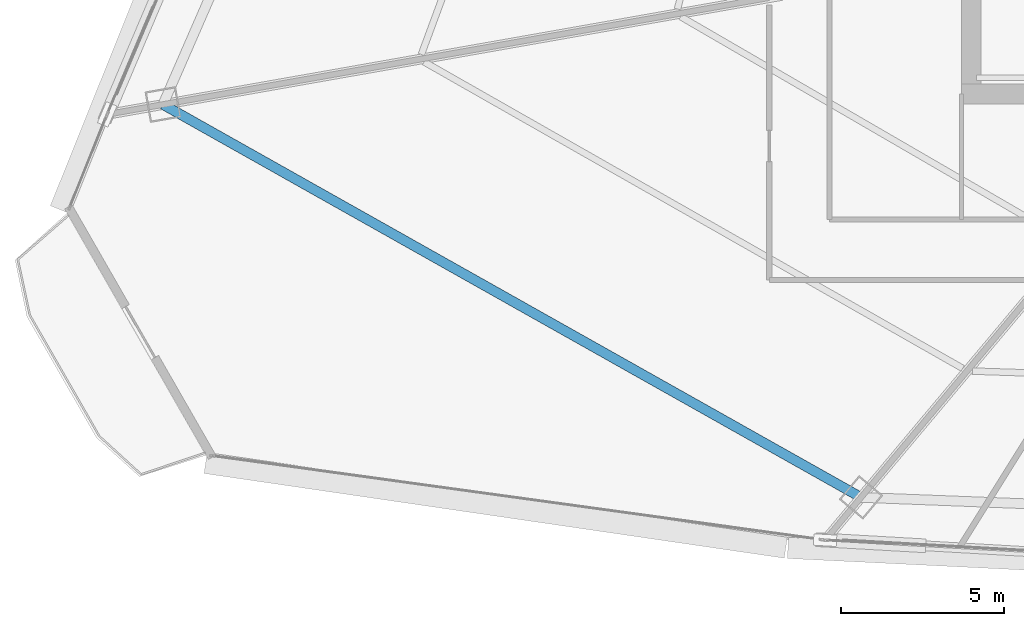
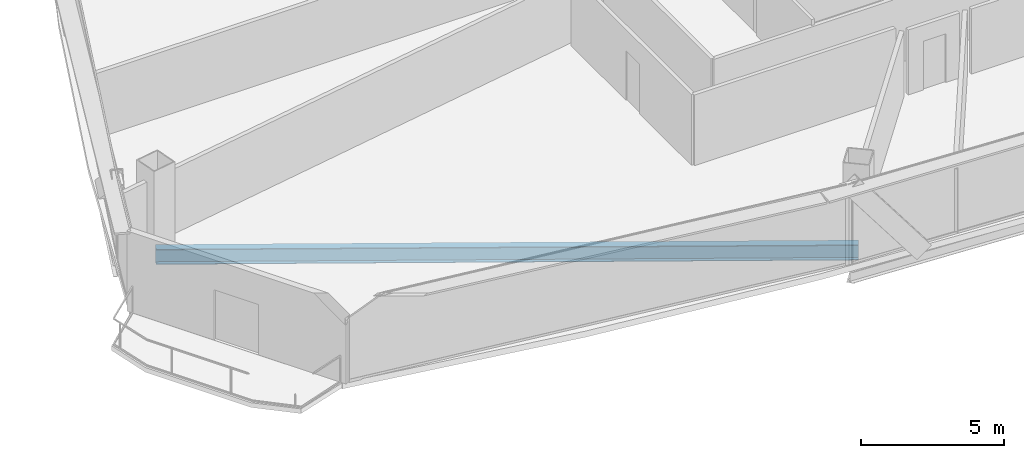
# One storey, part 5 of 39: 1 beam.
"""IFC4 building model written with IfcOpenShell, lengths in metres."""

from ifc_helpers import new_model, si_unit, direction, frame, origin, origin_2d, place, context, subcontext, project, spatial, i_section, extrude, source, transform, mapped, material, material_profile, profile_set, type_object, element, save


model = new_model("IFC4")

# Units and contexts
model_context = context("Model", 3, precision=1e-05, world=origin(), true_north=direction((0.0, 1.0)))
body_context = subcontext(model_context, "Body", "Model", "MODEL_VIEW")
ifc_project = project(units=[si_unit("LENGTHUNIT", "METRE"), si_unit("AREAUNIT", "SQUARE_METRE"), si_unit("VOLUMEUNIT", "CUBIC_METRE"), si_unit("PLANEANGLEUNIT", "RADIAN"), si_unit("MASSUNIT", "GRAM", prefix="KILO"), si_unit("THERMODYNAMICTEMPERATUREUNIT", "KELVIN"), si_unit("POWERUNIT", "WATT")], contexts=[model_context])

# Site, building, storey
site_placement = place(None, origin())
site = spatial("IfcSite", under=ifc_project, at=site_placement, CompositionType="ELEMENT")
building_placement = place(site_placement, origin())
building = spatial("IfcBuilding", under=site, at=building_placement, Name="Yunzhuo Pagoda Commons", CompositionType="ELEMENT")
storey_placement = place(building_placement, frame((0.0, 0.0, 140.8701171875)))
storey = spatial("IfcBuildingStorey", under=building, at=storey_placement, Name="L35", CompositionType="ELEMENT", Elevation=140.8701171875)

# Beam
ifc_material = material(Name="Structural steel Q355B", Category="steel")
ifc_material_profile = material_profile(ifc_material, i_section(OverallWidth=0.300048828125, OverallDepth=0.64990234375, WebThickness=0.012939453125, FlangeThickness=0.02197265625, at=origin_2d()), Name="Structural steel Q355B")
ifc_profile_set = profile_set([ifc_material_profile], Name="Structural steel Q355B")
beam_type = type_object("IfcBeamType", Name="B-RG2 Beam HN 650x300x13x22", PredefinedType="BEAM", material=ifc_profile_set)
shared_shape = source(origin(), body_context, "Body", "SweptSolid", [
    extrude(i_section(OverallWidth=0.300048828125, OverallDepth=0.64990234375, WebThickness=0.012939453125, FlangeThickness=0.02197265625, at=origin_2d()), origin(), (0.0, 0.0, 1.0), 24.56982421875),
])
beam_placement = place(storey_placement, frame((11.0029296875, 27.176513671875, -0.585205078125), z_axis=(0.871469103633, -0.490450406681, 0.0), x_axis=(0.490450406681, 0.871469103633, 0.0)))
element("IfcBeam", 1, at=beam_placement, inside=storey, type_object=beam_type, Name="L35 column-ring beam 12", PredefinedType="BEAM", context=body_context, shape_type="MappedRepresentation", body=[
    mapped(shared_shape, transform((0.0, 0.0, 0.0), scale=1.0)),
])

save(model, "model.ifc")
